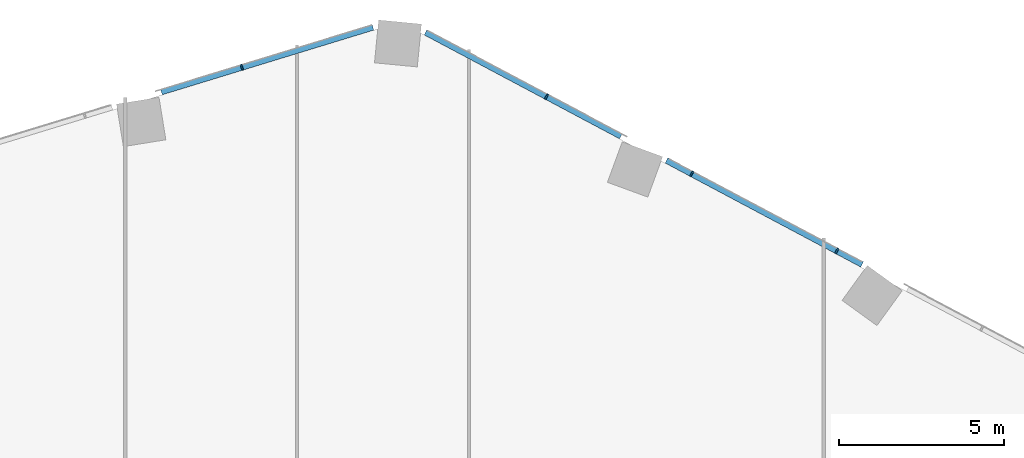
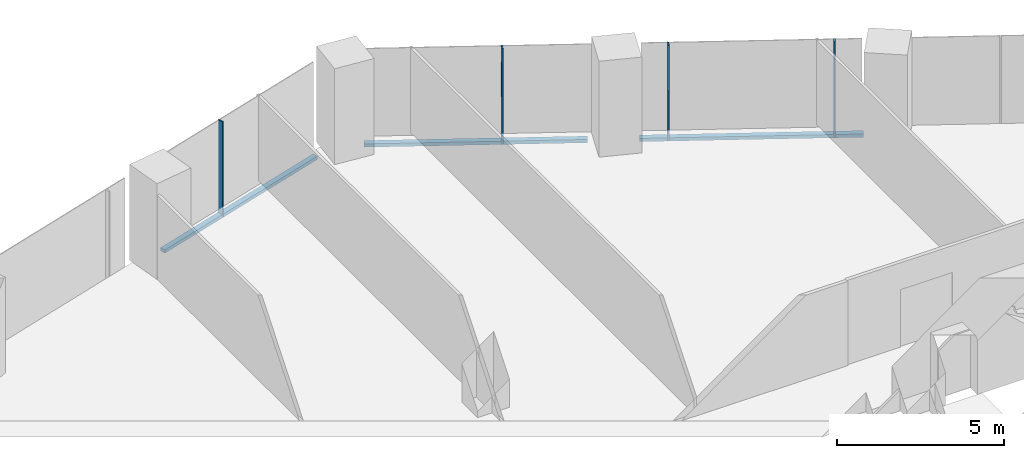
# One storey, part 12 of 31: 7 members, 2 elements without a shape of their own.
"""IFC4 building model written with IfcOpenShell, lengths in metres."""

from ifc_helpers import new_model, si_unit, direction, frame, origin, origin_2d, place, context, subcontext, project, spatial, rectangle, extrude, material, material_profile, profile_set, type_object, element, aggregate, save


model = new_model("IFC4")

# Units and contexts
model_context = context("Model", 3, precision=1e-05, world=origin(), true_north=direction((0.0, 1.0)))
body_context = subcontext(model_context, "Body", "Model", "MODEL_VIEW")
ifc_project = project(units=[si_unit("LENGTHUNIT", "METRE"), si_unit("AREAUNIT", "SQUARE_METRE"), si_unit("VOLUMEUNIT", "CUBIC_METRE"), si_unit("PLANEANGLEUNIT", "RADIAN"), si_unit("MASSUNIT", "GRAM", prefix="KILO")], contexts=[model_context])

# Site, building, storey
site_placement = place(None, origin())
site = spatial("IfcSite", under=ifc_project, at=site_placement, CompositionType="ELEMENT")
building_placement = place(site_placement, origin())
building = spatial("IfcBuilding", under=site, at=building_placement, Name="Orlundy Tower", CompositionType="ELEMENT")
storey_placement = place(building_placement, frame((0.0, 0.0, 84.199951171875)))
storey = spatial("IfcBuildingStorey", under=building, at=storey_placement, Name="L20", CompositionType="ELEMENT", Elevation=84.199951171875)

# Curtain wall, member
ifc_material_1 = material(Name="Aluminium bronze anodised", Category="aluminium")
curtain_wall_type = type_object("IfcCurtainWallType", Name="CW1 wall", PredefinedType="NOTDEFINED", material=ifc_material_1)
curtain_wall_1_placement = place(storey_placement, origin())
curtain_wall_1 = element("IfcCurtainWall", 1, at=curtain_wall_1_placement, inside=storey, type_object=curtain_wall_type, Name="CW1 run 03", PredefinedType="NOTDEFINED")
ifc_material_2 = material(Name="Aluminium bronze anodised", Category="aluminium")
ifc_material_profile_1 = material_profile(ifc_material_2, rectangle(XDim=0.179931640625, YDim=0.050048828125, at=origin_2d()), Name="CW1 mullion 50x180")
ifc_profile_set_1 = profile_set([ifc_material_profile_1], Name="Aluminium bronze anodised")
member_type_1 = type_object("IfcMemberType", Name="CW1 mullion 50x180", PredefinedType="MULLION", material=ifc_profile_set_1)
member_1_placement = place(storey_placement, frame((-1.667724609375, 30.954833984375, -0.39990234375), z_axis=(0.0, 0.0, 1.0), x_axis=(-0.292360624804, 0.956308143364, 0.0)))
member_1 = element("IfcMember", 2, at=member_1_placement, type_object=member_type_1, Name="CW1 mullion 18", PredefinedType="MULLION", context=body_context, shape_type="SweptSolid", body=[
    extrude(rectangle(XDim=0.179931640625, YDim=0.050048828125, at=origin_2d()), origin(), (0.0, 0.0, 1.0), 3.5),
])

# Curtain wall, members
curtain_wall_2_placement = place(storey_placement, origin())
curtain_wall_2 = element("IfcCurtainWall", 3, at=curtain_wall_2_placement, inside=storey, type_object=curtain_wall_type, Name="CW1 run 04", PredefinedType="NOTDEFINED")
member_2_placement = place(storey_placement, frame((7.54296875, 30.068115234375, -0.39990234375), z_axis=(0.0, 0.0, 1.0), x_axis=(0.469445471129, 0.882961465544, 0.0)))
member_2 = element("IfcMember", 4, at=member_2_placement, type_object=member_type_1, Name="CW1 mullion 20", PredefinedType="MULLION", context=body_context, shape_type="SweptSolid", body=[
    extrude(rectangle(XDim=0.179931640625, YDim=0.050048828125, at=origin_2d()), origin(), (0.0, 0.0, 1.0), 3.5),
])
member_3_placement = place(storey_placement, frame((11.931884765625, 27.734619140625, -0.39990234375), z_axis=(0.0, 0.0, 1.0), x_axis=(0.469445471129, 0.882961465544, 0.0)))
member_3 = element("IfcMember", 5, at=member_3_placement, type_object=member_type_1, Name="CW1 mullion 21", PredefinedType="MULLION", context=body_context, shape_type="SweptSolid", body=[
    extrude(rectangle(XDim=0.179931640625, YDim=0.050048828125, at=origin_2d()), origin(), (0.0, 0.0, 1.0), 3.5),
])
member_4_placement = place(storey_placement, frame((16.320556640625, 25.4013671875, -0.39990234375), z_axis=(0.0, 0.0, 1.0), x_axis=(0.469445471129, 0.882961465544, 0.0)))
member_4 = element("IfcMember", 6, at=member_4_placement, type_object=member_type_1, Name="CW1 mullion 22", PredefinedType="MULLION", context=body_context, shape_type="SweptSolid", body=[
    extrude(rectangle(XDim=0.179931640625, YDim=0.050048828125, at=origin_2d()), origin(), (0.0, 0.0, 1.0), 3.5),
])

# Member
ifc_material_3 = material(Name="Aluminium bronze anodised", Category="aluminium")
ifc_material_profile_2 = material_profile(ifc_material_3, rectangle(XDim=0.179931640625, YDim=0.1201171875, at=origin_2d()), Name="CW1 transom 180x120")
ifc_profile_set_2 = profile_set([ifc_material_profile_2], Name="Aluminium bronze anodised")
member_type_2 = type_object("IfcMemberType", Name="CW1 transom 180x120", PredefinedType="USERDEFINED", material=ifc_profile_set_2)
member_5_placement = place(storey_placement, frame((-4.1015625, 30.2109375, -0.33984375), z_axis=(0.956318121775, 0.292327983548, 0.0), x_axis=(-0.292327983548, 0.956318121775, 0.0)))
member_5 = element("IfcMember", 7, at=member_5_placement, type_object=member_type_2, Name="CW1 transom", ObjectType="TRANSOM", PredefinedType="USERDEFINED", context=body_context, shape_type="SweptSolid", body=[
    extrude(rectangle(XDim=0.179931640625, YDim=0.1201171875, at=origin_2d()), origin(), (0.0, 0.0, 1.0), 6.68701171875),
])

aggregate(curtain_wall_1, [member_1, member_5])

member_6_placement = place(storey_placement, frame((3.885986328125, 32.012451171875, -0.33984375), z_axis=(0.882949326186, -0.469468302858, 0.0), x_axis=(0.469468302858, 0.882949326186, 0.0)))
member_6 = element("IfcMember", 8, at=member_6_placement, type_object=member_type_2, Name="CW1 transom", ObjectType="TRANSOM", PredefinedType="USERDEFINED", context=body_context, shape_type="SweptSolid", body=[
    extrude(rectangle(XDim=0.179931640625, YDim=0.1201171875, at=origin_2d()), origin(), (0.0, 0.0, 1.0), 6.689208984375),
])

member_7_placement = place(storey_placement, frame((11.1708984375, 28.13916015625, -0.33984375), z_axis=(0.882974027203, -0.469421843638, 0.0), x_axis=(0.469421843638, 0.882974027203, 0.0)))
member_7 = element("IfcMember", 9, at=member_7_placement, type_object=member_type_2, Name="CW1 transom", ObjectType="TRANSOM", PredefinedType="USERDEFINED", context=body_context, shape_type="SweptSolid", body=[
    extrude(rectangle(XDim=0.179931640625, YDim=0.1201171875, at=origin_2d()), origin(), (0.0, 0.0, 1.0), 6.694580078125),
])

aggregate(curtain_wall_2, [member_2, member_3, member_4, member_6, member_7])

save(model, "model.ifc")
